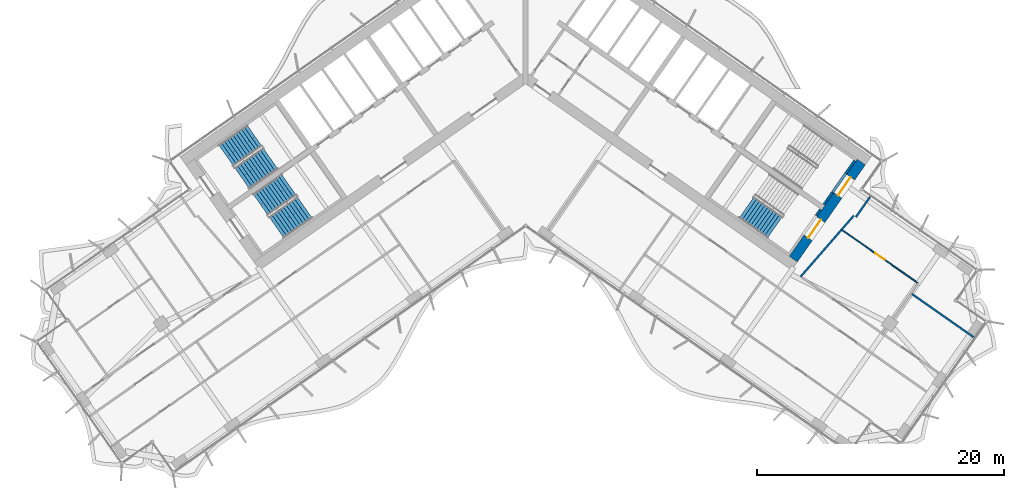
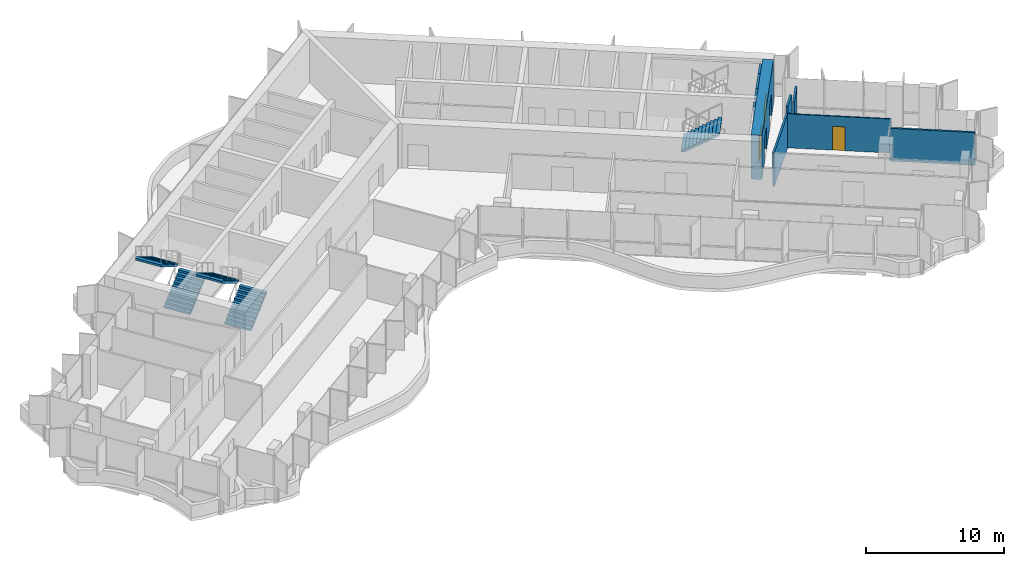
# One storey, part 15 of 21: 10 walls, 5 stair flights, 3 doors, 3 openings, 3 elements without a shape of their own.
"""IFC4 building model written with IfcOpenShell, lengths in metres."""

from ifc_helpers import new_model, si_unit, direction, frame, frame_2d, origin, place, context, subcontext, project, spatial, polyline, rectangle, outline, extrude, material, layer, layer_set, type_object, element, fill, aggregate, save


model = new_model("IFC4")

# Units and contexts
model_context = context("Model", 3, precision=1e-05, world=origin(), true_north=direction((0.0, 1.0)))
body_context = subcontext(model_context, "Body", "Model", "MODEL_VIEW")
ifc_project = project(units=[si_unit("LENGTHUNIT", "METRE"), si_unit("AREAUNIT", "SQUARE_METRE"), si_unit("VOLUMEUNIT", "CUBIC_METRE"), si_unit("PLANEANGLEUNIT", "RADIAN"), si_unit("MASSUNIT", "GRAM", prefix="KILO")], contexts=[model_context])

# Site, building, storey
site_placement = place(None, origin())
site = spatial("IfcSite", under=ifc_project, at=site_placement, CompositionType="ELEMENT")
building_placement = place(site_placement, origin())
building = spatial("IfcBuilding", under=site, at=building_placement, Name="Tel Ilan Convention Tower", CompositionType="ELEMENT")
storey_placement = place(building_placement, frame((0.0, 0.0, 159.300048828125)))
storey = spatial("IfcBuildingStorey", under=building, at=storey_placement, Name="L36", CompositionType="ELEMENT", Elevation=159.300048828125)

# Wall, openings, doors
ifc_material_1 = material(Name="Concrete C50/60", Category="concrete")
ifc_layer_1 = layer(ifc_material_1, 0.800048828125)
ifc_layer_set_1 = layer_set([ifc_layer_1], Name="Core Shear Wall 800 mm C50/60")
wall_type_1 = type_object("IfcWallType", Name="Core Shear Wall 800 mm C50/60", PredefinedType="SHEAR", material=ifc_layer_set_1)
wall_1_placement = place(storey_placement, frame((21.6748046875, -15.4208984375, 0.0), z_axis=(0.0, 0.0, 1.0), x_axis=(0.573581815061, 0.819148278049, 0.0)))
wall_1 = element("IfcWall", 1, at=wall_1_placement, inside=storey, type_object=wall_type_1, Name="L36 core wall E-end", PredefinedType="SHEAR", context=body_context, shape_type="SweptSolid", body=[
    extrude(outline(polyline([(9.599853515625, 0.400146484375), (0.0, 0.39990234375), (0.0, -0.39990234375), (9.599853515625, -0.39990234375), (9.599853515625, 0.400146484375)])), origin(), (0.0, 0.0, 1.0), 3.89990234375),
])
opening_1_placement = place(wall_1_placement, frame((6.300048828125, 0.0, 0.0)))
opening_1 = element("IfcOpeningElement", 2, at=opening_1_placement, cuts=wall_1, Name="Opening SD2803", PredefinedType="OPENING", context=body_context, shape_type="SweptSolid", body=[
    extrude(rectangle(XDim=1.800048828125, YDim=2.10009765625, at=frame_2d((0.89990234375, 1.050048828125))), frame((0.0, 0.409912109375, 0.0), z_axis=(0.0, -1.0, 0.0), x_axis=(1.0, 0.0, 0.0)), (0.0, 0.0, 1.0), 0.820068359375),
])
opening_2_placement = place(wall_1_placement, frame((2.10009765625, 0.0, 0.0)))
opening_2 = element("IfcOpeningElement", 3, at=opening_2_placement, cuts=wall_1, Name="Opening SD2804", PredefinedType="OPENING", context=body_context, shape_type="SweptSolid", body=[
    extrude(rectangle(XDim=1.800048828125, YDim=2.10009765625, at=frame_2d((0.89990234375, 1.050048828125))), frame((0.0, 0.409912109375, 0.0), z_axis=(0.0, -1.0, 0.0), x_axis=(1.0, 0.0, 0.0)), (0.0, 0.0, 1.0), 0.820068359375),
])
ifc_material_2 = material(Name="Galvanised Steel Door Leaf", Category="steel")
door_type_1 = type_object("IfcDoorType", Name="Stair Fire Door 1800 x 2100 FD60S", OperationType="NOTDEFINED", PredefinedType="DOOR", material=ifc_material_2)
door_1_placement = place(opening_1_placement, origin())
door_1 = element("IfcDoor", 4, at=door_1_placement, inside=storey, type_object=door_type_1, Name="Stair S3 door", OperationType="DOUBLE_DOOR_SINGLE_SWING", OverallHeight=2.10009765625, OverallWidth=1.800048828125, PredefinedType="DOOR", context=body_context, shape_type="SweptSolid", body=[
    extrude(rectangle(XDim=1.800048828125, YDim=2.10009765625, at=frame_2d((0.89990234375, 1.050048828125))), frame((0.0, 0.02490234375, 0.0), z_axis=(0.0, -1.0, 0.0), x_axis=(1.0, 0.0, 0.0)), (0.0, 0.0, 1.0), 0.050048828125),
])
fill(opening_1, door_1)
door_2_placement = place(opening_2_placement, origin())
door_2 = element("IfcDoor", 5, at=door_2_placement, inside=storey, type_object=door_type_1, Name="Stair S4 door", OperationType="DOUBLE_DOOR_SINGLE_SWING", OverallHeight=2.10009765625, OverallWidth=1.800048828125, PredefinedType="DOOR", context=body_context, shape_type="SweptSolid", body=[
    extrude(rectangle(XDim=1.800048828125, YDim=2.10009765625, at=frame_2d((0.89990234375, 1.050048828125))), frame((0.0, 0.02490234375, 0.0), z_axis=(0.0, -1.0, 0.0), x_axis=(1.0, 0.0, 0.0)), (0.0, 0.0, 1.0), 0.050048828125),
])
fill(opening_2, door_2)

# Walls
ifc_material_3 = material(Name="Plasterboard on Steel Studs", Category="steel")
ifc_layer_2 = layer(ifc_material_3, 0.14990234375)
ifc_layer_set_2 = layer_set([ifc_layer_2], Name="Fire-rated Partition 150 EI 60")
wall_type_2 = type_object("IfcWallType", Name="Fire-rated Partition 150 EI 60", PredefinedType="PARTITIONING", material=ifc_layer_set_2)
wall_2_placement = place(storey_placement, frame((36.28955078125, -21.74658203125, 0.0), z_axis=(0.0, 0.0, 1.0), x_axis=(-0.819159766912, 0.573565407145, 0.0)))
element("IfcWall", 6, at=wall_2_placement, inside=storey, type_object=wall_type_2, Name="Partition 015", PredefinedType="PARTITIONING", context=body_context, shape_type="SweptSolid", body=[
    extrude(rectangle(XDim=6.2001953125, YDim=0.14990234375, at=frame_2d((3.10009765625, 0.0))), origin(), (0.0, 0.0, 1.0), 2.89990234375),
])
wall_3_placement = place(storey_placement, frame((25.587890625, -13.032470703125, 0.0), z_axis=(0.0, 0.0, 1.0), x_axis=(0.656759948122, 0.754099708621, 0.0)))
element("IfcWall", 7, at=wall_3_placement, inside=storey, type_object=wall_type_2, Name="Partition 016", PredefinedType="PARTITIONING", context=body_context, shape_type="SweptSolid", body=[
    extrude(rectangle(XDim=1.50732421875, YDim=0.14990234375, at=frame_2d((0.753662109375, 0.0))), origin(), (0.0, 0.0, 1.0), 3.619873046875),
])
wall_4_placement = place(storey_placement, frame((26.74609375, -12.013671875, 0.0), z_axis=(0.0, 0.0, 1.0), x_axis=(0.573568836472, 0.819157365729, 0.0)))
element("IfcWall", 8, at=wall_4_placement, inside=storey, type_object=wall_type_2, Name="Partition 017", PredefinedType="PARTITIONING", context=body_context, shape_type="SweptSolid", body=[
    extrude(rectangle(XDim=2.000244140625, YDim=0.14990234375, at=frame_2d((1.0, 0.0))), origin(), (0.0, 0.0, 1.0), 3.0),
])
wall_5_placement = place(storey_placement, frame((22.284912109375, -16.82470703125, 0.0), z_axis=(0.0, 0.0, 1.0), x_axis=(0.656777182061, 0.754084698906, 0.0)))
element("IfcWall", 9, at=wall_5_placement, inside=storey, type_object=wall_type_2, Name="Partition 020", PredefinedType="PARTITIONING", context=body_context, shape_type="SweptSolid", body=[
    extrude(rectangle(XDim=5.028076171875, YDim=0.14990234375, at=frame_2d((2.51416015625, 0.0))), origin(), (0.0, 0.0, 1.0), 3.0),
])

# Wall, opening, door
ifc_material_4 = material(Name="Plasterboard on Steel Studs", Category="steel")
ifc_layer_3 = layer(ifc_material_4, 0.10009765625)
ifc_layer_set_3 = layer_set([ifc_layer_3], Name="Plasterboard Partition 100")
wall_type_3 = type_object("IfcWallType", Name="Plasterboard Partition 100", PredefinedType="PARTITIONING", material=ifc_layer_set_3)
wall_6_placement = place(storey_placement, frame((25.587890625, -13.032470703125, 0.0), z_axis=(0.0, 0.0, 1.0), x_axis=(0.819151551875, -0.57357713959, 0.0)))
wall_6 = element("IfcWall", 10, at=wall_6_placement, inside=storey, type_object=wall_type_3, Name="Partition 014", PredefinedType="PARTITIONING", context=body_context, shape_type="SweptSolid", body=[
    extrude(rectangle(XDim=7.564453125, YDim=0.10009765625, at=frame_2d((3.7822265625, 0.0))), origin(), (0.0, 0.0, 1.0), 3.0),
])
opening_3_placement = place(wall_6_placement, frame((3.332275390625, 0.0, 0.0)))
opening_3 = element("IfcOpeningElement", 11, at=opening_3_placement, cuts=wall_6, Name="Opening L36-015", PredefinedType="OPENING", context=body_context, shape_type="SweptSolid", body=[
    extrude(rectangle(XDim=0.89990234375, YDim=2.10009765625, at=frame_2d((0.449951171875, 1.050048828125))), frame((0.0, 0.06005859375, 0.0), z_axis=(0.0, -1.0, 0.0), x_axis=(1.0, 0.0, 0.0)), (0.0, 0.0, 1.0), 0.1201171875),
])
ifc_material_5 = material(Name="Timber Door Leaf in Steel Frame", Category="steel")
door_type_2 = type_object("IfcDoorType", Name="Room Timber Door 900x2100", OperationType="NOTDEFINED", PredefinedType="DOOR", material=ifc_material_5)
door_3_placement = place(opening_3_placement, origin())
door_3 = element("IfcDoor", 12, at=door_3_placement, inside=storey, type_object=door_type_2, Name="Door L36-015", OperationType="SINGLE_SWING_LEFT", OverallHeight=2.10009765625, OverallWidth=0.89990234375, PredefinedType="DOOR", context=body_context, shape_type="SweptSolid", body=[
    extrude(rectangle(XDim=0.89990234375, YDim=2.10009765625, at=frame_2d((0.449951171875, 1.050048828125))), frame((0.0, 0.02490234375, 0.0), z_axis=(0.0, -1.0, 0.0), x_axis=(1.0, 0.0, 0.0)), (0.0, 0.0, 1.0), 0.050048828125),
])
fill(opening_3, door_3)

# Walls
ifc_material_6 = material(Name="Concrete C30/37", Category="concrete")
ifc_layer_4 = layer(ifc_material_6, 0.199951171875)
ifc_layer_set_4 = layer_set([ifc_layer_4], Name="Stair and Shaft Lining Wall 200 mm C30/37")
wall_type_4 = type_object("IfcWallType", Name="Stair and Shaft Lining Wall 200 mm C30/37", PredefinedType="SOLIDWALL", material=ifc_layer_set_4)
wall_7_placement = place(storey_placement, frame((24.16162109375, -10.99755859375, 0.0), z_axis=(0.0, 0.0, 1.0), x_axis=(0.573612502218, 0.819126789514, 0.0)))
element("IfcWall", 13, at=wall_7_placement, inside=storey, type_object=wall_type_4, Name="L36 core wall lining-S3-u1-0", PredefinedType="SOLIDWALL", context=body_context, shape_type="SweptSolid", body=[
    extrude(rectangle(XDim=1.2001953125, YDim=0.199951171875, at=frame_2d((0.60009765625, 0.0))), origin(), (0.0, 0.0, 1.0), 3.619873046875),
])
wall_8_placement = place(storey_placement, frame((25.939697265625, -8.4580078125, 0.0), z_axis=(0.0, 0.0, 1.0), x_axis=(0.573619628835, 0.819121798889, 0.0)))
element("IfcWall", 14, at=wall_8_placement, inside=storey, type_object=wall_type_4, Name="L36 core wall lining-S3-u1-1", PredefinedType="SOLIDWALL", context=body_context, shape_type="SweptSolid", body=[
    extrude(rectangle(XDim=1.25, YDim=0.199951171875, at=frame_2d((0.625, 0.0))), origin(), (0.0, 0.0, 1.0), 3.619873046875),
])
wall_9_placement = place(storey_placement, frame((24.85009765625, -10.014404296875, 2.14990234375), z_axis=(0.0, 0.0, 1.0), x_axis=(0.573505465124, 0.819201734296, 0.0)))
element("IfcWall", 15, at=wall_9_placement, inside=storey, type_object=wall_type_4, Name="L36 core wall lining-S3-u1-lintel", PredefinedType="SOLIDWALL", context=body_context, shape_type="SweptSolid", body=[
    extrude(rectangle(XDim=1.89990234375, YDim=0.199951171875, at=frame_2d((0.949951171875, 0.0))), origin(), (0.0, 0.0, 1.0), 1.469970703125),
])
wall_10_placement = place(storey_placement, frame((23.53076171875, -11.8984375, 0.0), z_axis=(0.0, 0.0, 1.0), x_axis=(0.573708088123, 0.819059844958, 0.0)))
element("IfcWall", 16, at=wall_10_placement, inside=storey, type_object=wall_type_4, Name="L36 core wall lining-S4-u1-1", PredefinedType="SOLIDWALL", context=body_context, shape_type="SweptSolid", body=[
    extrude(rectangle(XDim=0.60009765625, YDim=0.199951171875, at=frame_2d((0.300048828125, 0.0))), origin(), (0.0, 0.0, 1.0), 3.619873046875),
])

# Stair, stair flights
ifc_material_7 = material(Name="Concrete C40/50", Category="concrete")
stair_type = type_object("IfcStairType", Name="Pressurised Exit Stair 22 risers 177 mm", PredefinedType="HALF_TURN_STAIR", material=ifc_material_7)
stair_1_placement = place(storey_placement, origin())
stair_1 = element("IfcStair", 17, at=stair_1_placement, inside=storey, type_object=stair_type, Name="L36 Pressurised Stair S1", PredefinedType="HALF_TURN_STAIR")
ifc_material_8 = material(Name="Precast Concrete C40/50", Category="concrete")
stair_flight_type = type_object("IfcStairFlightType", Name="Concrete Stair Flight 2100 mm 22 risers 177 mm", PredefinedType="STRAIGHT", material=ifc_material_8)
stair_flight_1_placement = place(storey_placement, frame((-22.9619140625, -8.87548828125, 0.0), z_axis=(0.0, 0.0, 1.0), x_axis=(0.819152044289, 0.573576436351, 0.0)))
stair_flight_1 = element("IfcStairFlight", 18, at=stair_flight_1_placement, type_object=stair_flight_type, Name="S1 flight 1", NumberOfRisers=11, NumberOfTreads=10, PredefinedType="STRAIGHT", RiserHeight=0.177272727, TreadLength=0.28, context=body_context, shape_type="SweptSolid", body=[
    extrude(outline(polyline([(0.0, 0.0), (0.0, 0.17724609375), (0.280029296875, 0.17724609375), (0.280029296875, 0.3544921875), (0.56005859375, 0.3544921875), (0.56005859375, 0.53173828125), (0.840087890625, 0.53173828125), (0.840087890625, 0.708984375), (1.1201171875, 0.708984375), (1.1201171875, 0.886474609375), (1.39990234375, 0.886474609375), (1.39990234375, 1.063720703125), (1.679931640625, 1.063720703125), (1.679931640625, 1.240966796875), (1.9599609375, 1.240966796875), (1.9599609375, 1.418212890625), (2.239990234375, 1.418212890625), (2.239990234375, 1.595458984375), (2.52001953125, 1.595458984375), (2.52001953125, 1.772705078125), (2.800048828125, 1.772705078125), (2.800048828125, 1.949951171875), (2.800048828125, 1.59521484375), (0.2802734375, 0.0), (0.0, 0.0)])), frame((0.0, -0.100341796875, 0.0), z_axis=(0.0, -1.0, 0.0), x_axis=(1.0, 0.0, 0.0)), (0.0, 0.0, 1.0), 0.94970703125),
    extrude(outline(polyline([(0.0, 0.0), (0.0, 0.17724609375), (0.280029296875, 0.17724609375), (0.280029296875, 0.3544921875), (0.56005859375, 0.3544921875), (0.56005859375, 0.53173828125), (0.840087890625, 0.53173828125), (0.840087890625, 0.708984375), (1.1201171875, 0.708984375), (1.1201171875, 0.886474609375), (1.39990234375, 0.886474609375), (1.39990234375, 1.063720703125), (1.679931640625, 1.063720703125), (1.679931640625, 1.240966796875), (1.9599609375, 1.240966796875), (1.9599609375, 1.418212890625), (2.239990234375, 1.418212890625), (2.239990234375, 1.595458984375), (2.52001953125, 1.595458984375), (2.52001953125, 1.772705078125), (2.800048828125, 1.772705078125), (2.800048828125, 1.949951171875), (2.800048828125, 1.59521484375), (0.2802734375, 0.0), (0.0, 0.0)])), frame((0.0, -0.000244140625, 0.0), z_axis=(0.0, -1.0, 0.0), x_axis=(1.0, 0.0, 0.0)), (0.0, 0.0, 1.0), 0.099609375),
    extrude(outline(polyline([(0.0, 0.0), (0.0, 0.17724609375), (0.280029296875, 0.17724609375), (0.280029296875, 0.3544921875), (0.56005859375, 0.3544921875), (0.56005859375, 0.53173828125), (0.840087890625, 0.53173828125), (0.840087890625, 0.708984375), (1.1201171875, 0.708984375), (1.1201171875, 0.886474609375), (1.39990234375, 0.886474609375), (1.39990234375, 1.063720703125), (1.679931640625, 1.063720703125), (1.679931640625, 1.240966796875), (1.9599609375, 1.240966796875), (1.9599609375, 1.418212890625), (2.239990234375, 1.418212890625), (2.239990234375, 1.595458984375), (2.52001953125, 1.595458984375), (2.52001953125, 1.772705078125), (2.800048828125, 1.772705078125), (2.800048828125, 1.949951171875), (2.800048828125, 1.59521484375), (0.2802734375, 0.0), (0.0, 0.0)])), frame((0.0, 0.099853515625, 0.0), z_axis=(0.0, -1.0, 0.0), x_axis=(1.0, 0.0, 0.0)), (0.0, 0.0, 1.0), 0.099609375),
    extrude(outline(polyline([(0.0, 0.0), (0.0, 0.17724609375), (0.280029296875, 0.17724609375), (0.280029296875, 0.3544921875), (0.56005859375, 0.3544921875), (0.56005859375, 0.53173828125), (0.840087890625, 0.53173828125), (0.840087890625, 0.708984375), (1.1201171875, 0.708984375), (1.1201171875, 0.886474609375), (1.39990234375, 0.886474609375), (1.39990234375, 1.063720703125), (1.679931640625, 1.063720703125), (1.679931640625, 1.240966796875), (1.9599609375, 1.240966796875), (1.9599609375, 1.418212890625), (2.239990234375, 1.418212890625), (2.239990234375, 1.595458984375), (2.52001953125, 1.595458984375), (2.52001953125, 1.772705078125), (2.800048828125, 1.772705078125), (2.800048828125, 1.949951171875), (2.800048828125, 1.59521484375), (0.2802734375, 0.0), (0.0, 0.0)])), frame((0.0, 1.050048828125, 0.0), z_axis=(0.0, -1.0, 0.0), x_axis=(1.0, 0.0, 0.0)), (0.0, 0.0, 1.0), 0.94970703125),
])
stair_flight_2_placement = place(storey_placement, frame((-21.958740234375, -5.42626953125, 1.949951171875), z_axis=(0.0, 0.0, 1.0), x_axis=(-0.819152044289, -0.573576436351, 0.0)))
stair_flight_2 = element("IfcStairFlight", 19, at=stair_flight_2_placement, type_object=stair_flight_type, Name="S1 flight 2", NumberOfRisers=11, NumberOfTreads=10, PredefinedType="STRAIGHT", RiserHeight=0.177272727, TreadLength=0.28, context=body_context, shape_type="SweptSolid", body=[
    extrude(outline(polyline([(0.0, 0.0), (0.0, 0.17724609375), (0.280029296875, 0.17724609375), (0.280029296875, 0.3544921875), (0.56005859375, 0.3544921875), (0.56005859375, 0.53173828125), (0.840087890625, 0.53173828125), (0.840087890625, 0.708984375), (1.1201171875, 0.708984375), (1.1201171875, 0.886474609375), (1.39990234375, 0.886474609375), (1.39990234375, 1.063720703125), (1.679931640625, 1.063720703125), (1.679931640625, 1.240966796875), (1.9599609375, 1.240966796875), (1.9599609375, 1.418212890625), (2.239990234375, 1.418212890625), (2.239990234375, 1.595458984375), (2.52001953125, 1.595458984375), (2.52001953125, 1.772705078125), (2.800048828125, 1.772705078125), (2.800048828125, 1.949951171875), (2.800048828125, 1.59521484375), (0.2802734375, 0.0), (0.0, 0.0)])), frame((0.0, -0.100341796875, 0.0), z_axis=(0.0, -1.0, 0.0), x_axis=(1.0, 0.0, 0.0)), (0.0, 0.0, 1.0), 0.94970703125),
    extrude(outline(polyline([(0.0, 0.0), (0.0, 0.17724609375), (0.280029296875, 0.17724609375), (0.280029296875, 0.3544921875), (0.56005859375, 0.3544921875), (0.56005859375, 0.53173828125), (0.840087890625, 0.53173828125), (0.840087890625, 0.708984375), (1.1201171875, 0.708984375), (1.1201171875, 0.886474609375), (1.39990234375, 0.886474609375), (1.39990234375, 1.063720703125), (1.679931640625, 1.063720703125), (1.679931640625, 1.240966796875), (1.9599609375, 1.240966796875), (1.9599609375, 1.418212890625), (2.239990234375, 1.418212890625), (2.239990234375, 1.595458984375), (2.52001953125, 1.595458984375), (2.52001953125, 1.772705078125), (2.800048828125, 1.772705078125), (2.800048828125, 1.949951171875), (2.800048828125, 1.59521484375), (0.2802734375, 0.0), (0.0, 0.0)])), frame((0.0, -0.000244140625, 0.0), z_axis=(0.0, -1.0, 0.0), x_axis=(1.0, 0.0, 0.0)), (0.0, 0.0, 1.0), 0.099609375),
    extrude(outline(polyline([(0.0, 0.0), (0.0, 0.17724609375), (0.280029296875, 0.17724609375), (0.280029296875, 0.3544921875), (0.56005859375, 0.3544921875), (0.56005859375, 0.53173828125), (0.840087890625, 0.53173828125), (0.840087890625, 0.708984375), (1.1201171875, 0.708984375), (1.1201171875, 0.886474609375), (1.39990234375, 0.886474609375), (1.39990234375, 1.063720703125), (1.679931640625, 1.063720703125), (1.679931640625, 1.240966796875), (1.9599609375, 1.240966796875), (1.9599609375, 1.418212890625), (2.239990234375, 1.418212890625), (2.239990234375, 1.595458984375), (2.52001953125, 1.595458984375), (2.52001953125, 1.772705078125), (2.800048828125, 1.772705078125), (2.800048828125, 1.949951171875), (2.800048828125, 1.59521484375), (0.2802734375, 0.0), (0.0, 0.0)])), frame((0.0, 0.099853515625, 0.0), z_axis=(0.0, -1.0, 0.0), x_axis=(1.0, 0.0, 0.0)), (0.0, 0.0, 1.0), 0.099609375),
    extrude(outline(polyline([(0.0, 0.0), (0.0, 0.17724609375), (0.280029296875, 0.17724609375), (0.280029296875, 0.3544921875), (0.56005859375, 0.3544921875), (0.56005859375, 0.53173828125), (0.840087890625, 0.53173828125), (0.840087890625, 0.708984375), (1.1201171875, 0.708984375), (1.1201171875, 0.886474609375), (1.39990234375, 0.886474609375), (1.39990234375, 1.063720703125), (1.679931640625, 1.063720703125), (1.679931640625, 1.240966796875), (1.9599609375, 1.240966796875), (1.9599609375, 1.418212890625), (2.239990234375, 1.418212890625), (2.239990234375, 1.595458984375), (2.52001953125, 1.595458984375), (2.52001953125, 1.772705078125), (2.800048828125, 1.772705078125), (2.800048828125, 1.949951171875), (2.800048828125, 1.59521484375), (0.2802734375, 0.0), (0.0, 0.0)])), frame((0.0, 1.050048828125, 0.0), z_axis=(0.0, -1.0, 0.0), x_axis=(1.0, 0.0, 0.0)), (0.0, 0.0, 1.0), 0.94970703125),
])
aggregate(stair_1, [stair_flight_1, stair_flight_2])

stair_2_placement = place(storey_placement, origin())
stair_2 = element("IfcStair", 20, at=stair_2_placement, inside=storey, type_object=stair_type, Name="L36 Pressurised Stair S2", PredefinedType="HALF_TURN_STAIR")
stair_flight_3_placement = place(storey_placement, frame((-20.179931640625, -12.848388671875, 0.0), z_axis=(0.0, 0.0, 1.0), x_axis=(0.819152044289, 0.573576436351, 0.0)))
stair_flight_3 = element("IfcStairFlight", 21, at=stair_flight_3_placement, type_object=stair_flight_type, Name="S2 flight 1", NumberOfRisers=11, NumberOfTreads=10, PredefinedType="STRAIGHT", RiserHeight=0.177272727, TreadLength=0.28, context=body_context, shape_type="SweptSolid", body=[
    extrude(outline(polyline([(0.0, 0.0), (0.0, 0.17724609375), (0.280029296875, 0.17724609375), (0.280029296875, 0.3544921875), (0.56005859375, 0.3544921875), (0.56005859375, 0.53173828125), (0.840087890625, 0.53173828125), (0.840087890625, 0.708984375), (1.1201171875, 0.708984375), (1.1201171875, 0.886474609375), (1.39990234375, 0.886474609375), (1.39990234375, 1.063720703125), (1.679931640625, 1.063720703125), (1.679931640625, 1.240966796875), (1.9599609375, 1.240966796875), (1.9599609375, 1.418212890625), (2.239990234375, 1.418212890625), (2.239990234375, 1.595458984375), (2.52001953125, 1.595458984375), (2.52001953125, 1.772705078125), (2.800048828125, 1.772705078125), (2.800048828125, 1.949951171875), (2.800048828125, 1.59521484375), (0.2802734375, 0.0), (0.0, 0.0)])), frame((0.0, -0.100341796875, 0.0), z_axis=(0.0, -1.0, 0.0), x_axis=(1.0, 0.0, 0.0)), (0.0, 0.0, 1.0), 0.94970703125),
    extrude(outline(polyline([(0.0, 0.0), (0.0, 0.17724609375), (0.280029296875, 0.17724609375), (0.280029296875, 0.3544921875), (0.56005859375, 0.3544921875), (0.56005859375, 0.53173828125), (0.840087890625, 0.53173828125), (0.840087890625, 0.708984375), (1.1201171875, 0.708984375), (1.1201171875, 0.886474609375), (1.39990234375, 0.886474609375), (1.39990234375, 1.063720703125), (1.679931640625, 1.063720703125), (1.679931640625, 1.240966796875), (1.9599609375, 1.240966796875), (1.9599609375, 1.418212890625), (2.239990234375, 1.418212890625), (2.239990234375, 1.595458984375), (2.52001953125, 1.595458984375), (2.52001953125, 1.772705078125), (2.800048828125, 1.772705078125), (2.800048828125, 1.949951171875), (2.800048828125, 1.59521484375), (0.2802734375, 0.0), (0.0, 0.0)])), frame((0.0, -0.000244140625, 0.0), z_axis=(0.0, -1.0, 0.0), x_axis=(1.0, 0.0, 0.0)), (0.0, 0.0, 1.0), 0.099609375),
    extrude(outline(polyline([(0.0, 0.0), (0.0, 0.17724609375), (0.280029296875, 0.17724609375), (0.280029296875, 0.3544921875), (0.56005859375, 0.3544921875), (0.56005859375, 0.53173828125), (0.840087890625, 0.53173828125), (0.840087890625, 0.708984375), (1.1201171875, 0.708984375), (1.1201171875, 0.886474609375), (1.39990234375, 0.886474609375), (1.39990234375, 1.063720703125), (1.679931640625, 1.063720703125), (1.679931640625, 1.240966796875), (1.9599609375, 1.240966796875), (1.9599609375, 1.418212890625), (2.239990234375, 1.418212890625), (2.239990234375, 1.595458984375), (2.52001953125, 1.595458984375), (2.52001953125, 1.772705078125), (2.800048828125, 1.772705078125), (2.800048828125, 1.949951171875), (2.800048828125, 1.59521484375), (0.2802734375, 0.0), (0.0, 0.0)])), frame((0.0, 0.099853515625, 0.0), z_axis=(0.0, -1.0, 0.0), x_axis=(1.0, 0.0, 0.0)), (0.0, 0.0, 1.0), 0.099609375),
    extrude(outline(polyline([(0.0, 0.0), (0.0, 0.17724609375), (0.280029296875, 0.17724609375), (0.280029296875, 0.3544921875), (0.56005859375, 0.3544921875), (0.56005859375, 0.53173828125), (0.840087890625, 0.53173828125), (0.840087890625, 0.708984375), (1.1201171875, 0.708984375), (1.1201171875, 0.886474609375), (1.39990234375, 0.886474609375), (1.39990234375, 1.063720703125), (1.679931640625, 1.063720703125), (1.679931640625, 1.240966796875), (1.9599609375, 1.240966796875), (1.9599609375, 1.418212890625), (2.239990234375, 1.418212890625), (2.239990234375, 1.595458984375), (2.52001953125, 1.595458984375), (2.52001953125, 1.772705078125), (2.800048828125, 1.772705078125), (2.800048828125, 1.949951171875), (2.800048828125, 1.59521484375), (0.2802734375, 0.0), (0.0, 0.0)])), frame((0.0, 1.050048828125, 0.0), z_axis=(0.0, -1.0, 0.0), x_axis=(1.0, 0.0, 0.0)), (0.0, 0.0, 1.0), 0.94970703125),
])
stair_flight_4_placement = place(storey_placement, frame((-19.177001953125, -9.399169921875, 1.949951171875), z_axis=(0.0, 0.0, 1.0), x_axis=(-0.819152044289, -0.573576436351, 0.0)))
stair_flight_4 = element("IfcStairFlight", 22, at=stair_flight_4_placement, type_object=stair_flight_type, Name="S2 flight 2", NumberOfRisers=11, NumberOfTreads=10, PredefinedType="STRAIGHT", RiserHeight=0.177272727, TreadLength=0.28, context=body_context, shape_type="SweptSolid", body=[
    extrude(outline(polyline([(0.0, 0.0), (0.0, 0.17724609375), (0.280029296875, 0.17724609375), (0.280029296875, 0.3544921875), (0.56005859375, 0.3544921875), (0.56005859375, 0.53173828125), (0.840087890625, 0.53173828125), (0.840087890625, 0.708984375), (1.1201171875, 0.708984375), (1.1201171875, 0.886474609375), (1.39990234375, 0.886474609375), (1.39990234375, 1.063720703125), (1.679931640625, 1.063720703125), (1.679931640625, 1.240966796875), (1.9599609375, 1.240966796875), (1.9599609375, 1.418212890625), (2.239990234375, 1.418212890625), (2.239990234375, 1.595458984375), (2.52001953125, 1.595458984375), (2.52001953125, 1.772705078125), (2.800048828125, 1.772705078125), (2.800048828125, 1.949951171875), (2.800048828125, 1.59521484375), (0.2802734375, 0.0), (0.0, 0.0)])), frame((0.0, -0.100341796875, 0.0), z_axis=(0.0, -1.0, 0.0), x_axis=(1.0, 0.0, 0.0)), (0.0, 0.0, 1.0), 0.94970703125),
    extrude(outline(polyline([(0.0, 0.0), (0.0, 0.17724609375), (0.280029296875, 0.17724609375), (0.280029296875, 0.3544921875), (0.56005859375, 0.3544921875), (0.56005859375, 0.53173828125), (0.840087890625, 0.53173828125), (0.840087890625, 0.708984375), (1.1201171875, 0.708984375), (1.1201171875, 0.886474609375), (1.39990234375, 0.886474609375), (1.39990234375, 1.063720703125), (1.679931640625, 1.063720703125), (1.679931640625, 1.240966796875), (1.9599609375, 1.240966796875), (1.9599609375, 1.418212890625), (2.239990234375, 1.418212890625), (2.239990234375, 1.595458984375), (2.52001953125, 1.595458984375), (2.52001953125, 1.772705078125), (2.800048828125, 1.772705078125), (2.800048828125, 1.949951171875), (2.800048828125, 1.59521484375), (0.2802734375, 0.0), (0.0, 0.0)])), frame((0.0, -0.000244140625, 0.0), z_axis=(0.0, -1.0, 0.0), x_axis=(1.0, 0.0, 0.0)), (0.0, 0.0, 1.0), 0.099609375),
    extrude(outline(polyline([(0.0, 0.0), (0.0, 0.17724609375), (0.280029296875, 0.17724609375), (0.280029296875, 0.3544921875), (0.56005859375, 0.3544921875), (0.56005859375, 0.53173828125), (0.840087890625, 0.53173828125), (0.840087890625, 0.708984375), (1.1201171875, 0.708984375), (1.1201171875, 0.886474609375), (1.39990234375, 0.886474609375), (1.39990234375, 1.063720703125), (1.679931640625, 1.063720703125), (1.679931640625, 1.240966796875), (1.9599609375, 1.240966796875), (1.9599609375, 1.418212890625), (2.239990234375, 1.418212890625), (2.239990234375, 1.595458984375), (2.52001953125, 1.595458984375), (2.52001953125, 1.772705078125), (2.800048828125, 1.772705078125), (2.800048828125, 1.949951171875), (2.800048828125, 1.59521484375), (0.2802734375, 0.0), (0.0, 0.0)])), frame((0.0, 0.099853515625, 0.0), z_axis=(0.0, -1.0, 0.0), x_axis=(1.0, 0.0, 0.0)), (0.0, 0.0, 1.0), 0.099609375),
    extrude(outline(polyline([(0.0, 0.0), (0.0, 0.17724609375), (0.280029296875, 0.17724609375), (0.280029296875, 0.3544921875), (0.56005859375, 0.3544921875), (0.56005859375, 0.53173828125), (0.840087890625, 0.53173828125), (0.840087890625, 0.708984375), (1.1201171875, 0.708984375), (1.1201171875, 0.886474609375), (1.39990234375, 0.886474609375), (1.39990234375, 1.063720703125), (1.679931640625, 1.063720703125), (1.679931640625, 1.240966796875), (1.9599609375, 1.240966796875), (1.9599609375, 1.418212890625), (2.239990234375, 1.418212890625), (2.239990234375, 1.595458984375), (2.52001953125, 1.595458984375), (2.52001953125, 1.772705078125), (2.800048828125, 1.772705078125), (2.800048828125, 1.949951171875), (2.800048828125, 1.59521484375), (0.2802734375, 0.0), (0.0, 0.0)])), frame((0.0, 1.050048828125, 0.0), z_axis=(0.0, -1.0, 0.0), x_axis=(1.0, 0.0, 0.0)), (0.0, 0.0, 1.0), 0.94970703125),
])
aggregate(stair_2, [stair_flight_3, stair_flight_4])

# Stair, stair flight
stair_3_placement = place(storey_placement, origin())
stair_3 = element("IfcStair", 23, at=stair_3_placement, inside=storey, type_object=stair_type, Name="L36 Pressurised Stair S4", PredefinedType="HALF_TURN_STAIR")
stair_flight_5_placement = place(storey_placement, frame((17.886474609375, -11.242431640625, 1.949951171875), z_axis=(0.0, 0.0, 1.0), x_axis=(0.819152044289, -0.573576436351, 0.0)))
stair_flight_5 = element("IfcStairFlight", 24, at=stair_flight_5_placement, type_object=stair_flight_type, Name="S4 flight 2", NumberOfRisers=11, NumberOfTreads=10, PredefinedType="STRAIGHT", RiserHeight=0.177272727, TreadLength=0.28, context=body_context, shape_type="SweptSolid", body=[
    extrude(outline(polyline([(0.0, 0.0), (0.0, 0.17724609375), (0.280029296875, 0.17724609375), (0.280029296875, 0.3544921875), (0.56005859375, 0.3544921875), (0.56005859375, 0.53173828125), (0.840087890625, 0.53173828125), (0.840087890625, 0.708984375), (1.1201171875, 0.708984375), (1.1201171875, 0.886474609375), (1.39990234375, 0.886474609375), (1.39990234375, 1.063720703125), (1.679931640625, 1.063720703125), (1.679931640625, 1.240966796875), (1.9599609375, 1.240966796875), (1.9599609375, 1.418212890625), (2.239990234375, 1.418212890625), (2.239990234375, 1.595458984375), (2.52001953125, 1.595458984375), (2.52001953125, 1.772705078125), (2.800048828125, 1.772705078125), (2.800048828125, 1.949951171875), (2.800048828125, 1.59521484375), (0.2802734375, 0.0), (0.0, 0.0)])), frame((0.0, -0.100341796875, 0.0), z_axis=(0.0, -1.0, 0.0), x_axis=(1.0, 0.0, 0.0)), (0.0, 0.0, 1.0), 0.94970703125),
    extrude(outline(polyline([(0.0, 0.0), (0.0, 0.17724609375), (0.280029296875, 0.17724609375), (0.280029296875, 0.3544921875), (0.56005859375, 0.3544921875), (0.56005859375, 0.53173828125), (0.840087890625, 0.53173828125), (0.840087890625, 0.708984375), (1.1201171875, 0.708984375), (1.1201171875, 0.886474609375), (1.39990234375, 0.886474609375), (1.39990234375, 1.063720703125), (1.679931640625, 1.063720703125), (1.679931640625, 1.240966796875), (1.9599609375, 1.240966796875), (1.9599609375, 1.418212890625), (2.239990234375, 1.418212890625), (2.239990234375, 1.595458984375), (2.52001953125, 1.595458984375), (2.52001953125, 1.772705078125), (2.800048828125, 1.772705078125), (2.800048828125, 1.949951171875), (2.800048828125, 1.59521484375), (0.2802734375, 0.0), (0.0, 0.0)])), frame((0.0, -0.000244140625, 0.0), z_axis=(0.0, -1.0, 0.0), x_axis=(1.0, 0.0, 0.0)), (0.0, 0.0, 1.0), 0.099609375),
    extrude(outline(polyline([(0.0, 0.0), (0.0, 0.17724609375), (0.280029296875, 0.17724609375), (0.280029296875, 0.3544921875), (0.56005859375, 0.3544921875), (0.56005859375, 0.53173828125), (0.840087890625, 0.53173828125), (0.840087890625, 0.708984375), (1.1201171875, 0.708984375), (1.1201171875, 0.886474609375), (1.39990234375, 0.886474609375), (1.39990234375, 1.063720703125), (1.679931640625, 1.063720703125), (1.679931640625, 1.240966796875), (1.9599609375, 1.240966796875), (1.9599609375, 1.418212890625), (2.239990234375, 1.418212890625), (2.239990234375, 1.595458984375), (2.52001953125, 1.595458984375), (2.52001953125, 1.772705078125), (2.800048828125, 1.772705078125), (2.800048828125, 1.949951171875), (2.800048828125, 1.59521484375), (0.2802734375, 0.0), (0.0, 0.0)])), frame((0.0, 0.099853515625, 0.0), z_axis=(0.0, -1.0, 0.0), x_axis=(1.0, 0.0, 0.0)), (0.0, 0.0, 1.0), 0.099609375),
    extrude(outline(polyline([(0.0, 0.0), (0.0, 0.17724609375), (0.280029296875, 0.17724609375), (0.280029296875, 0.3544921875), (0.56005859375, 0.3544921875), (0.56005859375, 0.53173828125), (0.840087890625, 0.53173828125), (0.840087890625, 0.708984375), (1.1201171875, 0.708984375), (1.1201171875, 0.886474609375), (1.39990234375, 0.886474609375), (1.39990234375, 1.063720703125), (1.679931640625, 1.063720703125), (1.679931640625, 1.240966796875), (1.9599609375, 1.240966796875), (1.9599609375, 1.418212890625), (2.239990234375, 1.418212890625), (2.239990234375, 1.595458984375), (2.52001953125, 1.595458984375), (2.52001953125, 1.772705078125), (2.800048828125, 1.772705078125), (2.800048828125, 1.949951171875), (2.800048828125, 1.59521484375), (0.2802734375, 0.0), (0.0, 0.0)])), frame((0.0, 1.050048828125, 0.0), z_axis=(0.0, -1.0, 0.0), x_axis=(1.0, 0.0, 0.0)), (0.0, 0.0, 1.0), 0.94970703125),
])
aggregate(stair_3, [stair_flight_5])

save(model, "model.ifc")
